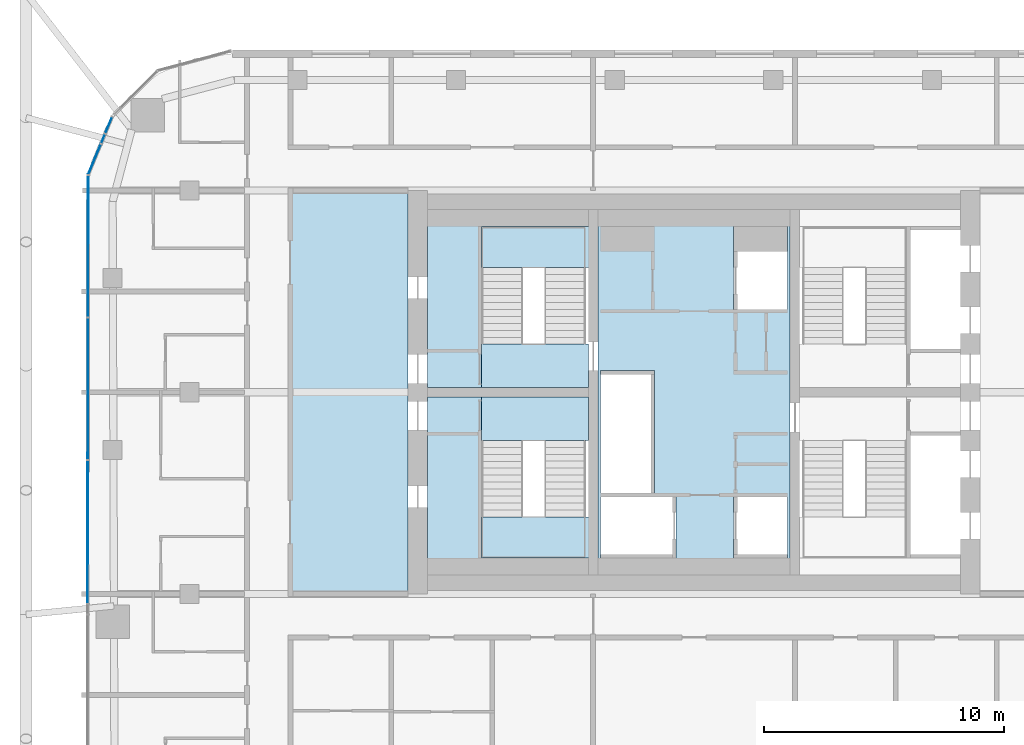
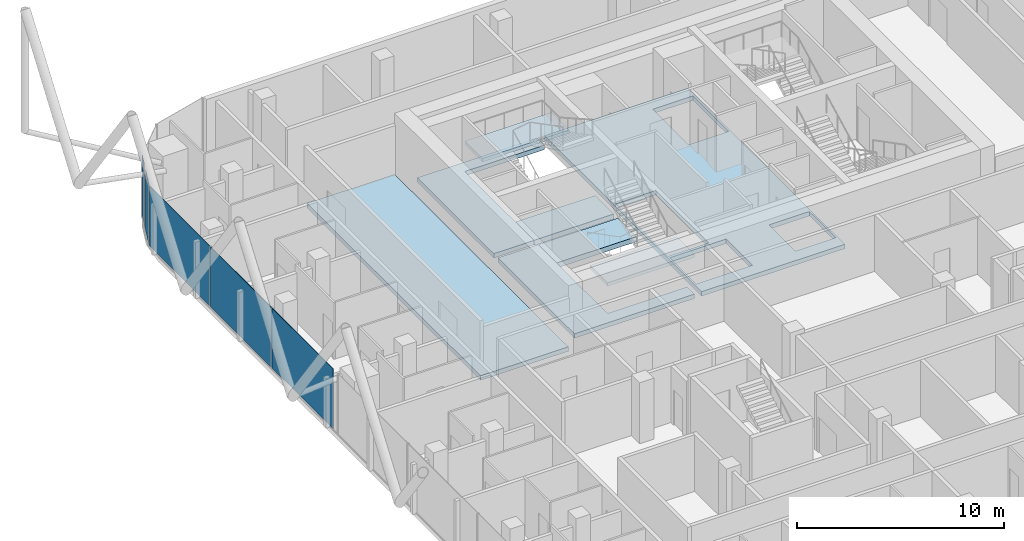
# One storey, part 19 of 31: 8 slabs, 6 plates, 6 elements without a shape of their own.
"""IFC4 building model written with IfcOpenShell, lengths in metres."""

from ifc_helpers import new_model, si_unit, direction, frame, origin, origin_2d, place, context, subcontext, project, spatial, polyline, rectangle, outline, extrude, material, layer, layer_set, type_object, element, aggregate, save


model = new_model("IFC4")

# Units and contexts
model_context = context("Model", 3, precision=1e-05, world=origin(), true_north=direction((0.0, 1.0)))
body_context = subcontext(model_context, "Body", "Model", "MODEL_VIEW")
ifc_project = project(units=[si_unit("LENGTHUNIT", "METRE"), si_unit("AREAUNIT", "SQUARE_METRE"), si_unit("VOLUMEUNIT", "CUBIC_METRE"), si_unit("PLANEANGLEUNIT", "RADIAN"), si_unit("MASSUNIT", "GRAM", prefix="KILO")], contexts=[model_context])

# Site, building, storey
site_placement = place(None, origin())
site = spatial("IfcSite", under=ifc_project, at=site_placement, CompositionType="ELEMENT")
building_placement = place(site_placement, origin())
building = spatial("IfcBuilding", under=site, at=building_placement, Name="Marenta Gate Hotel Tower", CompositionType="ELEMENT")
storey_placement = place(building_placement, frame((0.0, 0.0, 220.10009765625)))
storey = spatial("IfcBuildingStorey", under=building, at=storey_placement, Name="L51", CompositionType="ELEMENT", Elevation=220.10009765625)

# Slabs
ifc_material_1 = material(Name="Concrete C40", Category="concrete")
ifc_layer_1 = layer(ifc_material_1, 0.260009765625)
ifc_layer_set_1 = layer_set([ifc_layer_1], Name="Concrete C40")
slab_type_1 = type_object("IfcSlabType", Name="Core floor slab 260", PredefinedType="FLOOR", material=ifc_layer_set_1)
slab_1_placement = place(storey_placement, frame((0.0, 0.0, -0.260009765625)))
element("IfcSlab", 1, at=slab_1_placement, inside=storey, type_object=slab_type_1, Name="L51-CF-4", PredefinedType="FLOOR", context=body_context, shape_type="SweptSolid", body=[
    extrude(outline(polyline([(4.0, 15.300048828125), (4.0, 10.39990234375), (4.0, 6.39990234375), (4.0, 1.5), (4.0, 0.800048828125), (-4.0, 0.800048828125), (-4.0, 1.5), (-4.0, 6.39990234375), (-4.0, 10.39990234375), (-4.0, 15.300048828125), (-4.0, 16.0), (4.0, 16.0), (4.0, 15.300048828125)]), holes=[polyline([(1.64990234375, 14.25), (1.64990234375, 11.85009765625), (1.800048828125, 11.85009765625), (3.89990234375, 11.85009765625), (3.89990234375, 14.25), (3.89990234375, 15.300048828125), (1.64990234375, 15.300048828125), (1.64990234375, 14.25)]), polyline([(3.89990234375, 1.64990234375), (3.89990234375, 4.050048828125), (1.800048828125, 4.050048828125), (1.64990234375, 4.050048828125), (1.64990234375, 1.64990234375), (1.64990234375, 1.5), (3.89990234375, 1.5), (3.89990234375, 1.64990234375)]), polyline([(-3.89990234375, 1.64990234375), (-3.89990234375, 1.5), (-0.89990234375, 1.5), (-0.75, 1.5), (-0.75, 4.050048828125), (-0.89990234375, 4.050048828125), (-3.89990234375, 4.050048828125), (-3.89990234375, 1.64990234375)]), polyline([(-1.800048828125, 4.199951171875), (-1.64990234375, 4.199951171875), (-1.64990234375, 9.14990234375), (-1.64990234375, 9.300048828125), (-3.89990234375, 9.300048828125), (-3.89990234375, 9.14990234375), (-3.89990234375, 6.75), (-3.89990234375, 6.60009765625), (-3.89990234375, 4.199951171875), (-1.800048828125, 4.199951171875)])]), origin(), (0.0, 0.0, 1.0), 0.260009765625),
])
slab_2_placement = place(storey_placement, frame((0.0, 0.0, -0.260009765625)))
element("IfcSlab", 2, at=slab_2_placement, inside=storey, type_object=slab_type_1, Name="L51-CF-5", PredefinedType="FLOOR", context=body_context, shape_type="SweptSolid", body=[
    extrude(outline(polyline([(-8.85009765625, 8.199951171875), (-8.85009765625, 8.10009765625), (-8.85009765625, 6.39990234375), (-8.85009765625, 1.5), (-4.39990234375, 1.5), (-4.39990234375, 0.800048828125), (-11.10009765625, 0.800048828125), (-11.10009765625, 8.199951171875), (-8.85009765625, 8.199951171875)])), origin(), (0.0, 0.0, 1.0), 0.260009765625),
])
slab_3_placement = place(storey_placement, frame((0.0, 0.0, -0.260009765625)))
element("IfcSlab", 3, at=slab_3_placement, inside=storey, type_object=slab_type_1, Name="L51-CF-6", PredefinedType="FLOOR", context=body_context, shape_type="SweptSolid", body=[
    extrude(outline(polyline([(-4.39990234375, 15.300048828125), (-8.85009765625, 15.300048828125), (-8.85009765625, 10.39990234375), (-8.85009765625, 8.699951171875), (-8.85009765625, 8.60009765625), (-11.10009765625, 8.60009765625), (-11.10009765625, 16.0), (-4.39990234375, 16.0), (-4.39990234375, 15.300048828125)])), origin(), (0.0, 0.0, 1.0), 0.260009765625),
])
slab_4_placement = place(storey_placement, frame((0.0, 0.0, -0.260009765625)))
element("IfcSlab", 4, at=slab_4_placement, inside=storey, type_object=slab_type_1, Name="L51-CF-7", PredefinedType="FLOOR", context=body_context, shape_type="SweptSolid", body=[
    extrude(outline(polyline([(-11.89990234375, 16.800048828125), (-11.89990234375, 0.0), (-16.800048828125, 0.0), (-16.800048828125, 16.800048828125), (-11.89990234375, 16.800048828125)])), origin(), (0.0, 0.0, 1.0), 0.260009765625),
])

# Stair, slab
ifc_material_2 = material(Name="Concrete C40", Category="concrete")
stair_type = type_object("IfcStairType", Name="Core exit stair 1700 wide", PredefinedType="HALF_TURN_STAIR", material=ifc_material_2)
stair_1_placement = place(storey_placement, origin())
stair_1 = element("IfcStair", 5, at=stair_1_placement, inside=storey, type_object=stair_type, Name="Exit stair 1", PredefinedType="HALF_TURN_STAIR")
ifc_material_3 = material(Name="Concrete C40", Category="concrete")
ifc_layer_2 = layer(ifc_material_3, 0.199951171875)
ifc_layer_set_2 = layer_set([ifc_layer_2], Name="Concrete C40")
slab_type_2 = type_object("IfcSlabType", Name="Core stair landing 200", PredefinedType="LANDING", material=ifc_layer_set_2)
slab_5_placement = place(storey_placement, frame((0.0, 0.0, 1.599853515625)))
slab_5 = element("IfcSlab", 6, at=slab_5_placement, type_object=slab_type_2, Name="SL-200 ST1 landing 1", PredefinedType="LANDING", context=body_context, shape_type="SweptSolid", body=[
    extrude(outline(polyline([(-8.85009765625, 1.5), (-4.0, 1.5), (-4.0, 3.2099609375), (-8.85009765625, 3.2099609375), (-8.85009765625, 1.5)])), origin(), (0.0, 0.0, 1.0), 0.199951171875),
])
aggregate(stair_1, [slab_5])

stair_2_placement = place(storey_placement, origin())
stair_2 = element("IfcStair", 7, at=stair_2_placement, inside=storey, type_object=stair_type, Name="Exit stair 2", PredefinedType="HALF_TURN_STAIR")
slab_6_placement = place(storey_placement, frame((0.0, 0.0, 1.599853515625)))
slab_6 = element("IfcSlab", 8, at=slab_6_placement, type_object=slab_type_2, Name="SL-200 ST2 landing 1", PredefinedType="LANDING", context=body_context, shape_type="SweptSolid", body=[
    extrude(outline(polyline([(-8.85009765625, 13.590087890625), (-4.0, 13.590087890625), (-4.0, 15.300048828125), (-8.85009765625, 15.300048828125), (-8.85009765625, 13.590087890625)])), origin(), (0.0, 0.0, 1.0), 0.199951171875),
])
aggregate(stair_2, [slab_6])

# Curtain wall, plate
ifc_material_4 = material(Name="Tinted insulated glass in bronze anodised frame", Category="glass")
ifc_layer_3 = layer(ifc_material_4, 0.1201171875)
ifc_layer_set_3 = layer_set([ifc_layer_3], Name="Tinted insulated glass in bronze anodised frame")
curtain_wall_type = type_object("IfcCurtainWallType", Name="Tower unitised curtain wall CW1", PredefinedType="NOTDEFINED", material=ifc_layer_set_3)
curtain_wall_1_placement = place(storey_placement, origin())
curtain_wall_1 = element("IfcCurtainWall", 9, at=curtain_wall_1_placement, inside=storey, type_object=curtain_wall_type, Name="CW1 run G03", PredefinedType="NOTDEFINED")
ifc_material_5 = material(Name="Tinted insulated glass", Category="glass")
ifc_layer_4 = layer(ifc_material_5, 0.028076171875)
ifc_layer_set_4 = layer_set([ifc_layer_4], Name="Tinted insulated glass")
plate_type = type_object("IfcPlateType", Name="Glass panel CW1 28 mm tinted insulated unit", PredefinedType="CURTAIN_PANEL", material=ifc_layer_set_4)
plate_1_placement = place(storey_placement, frame((-24.3623046875, 19.5185546875, 0.059814453125), z_axis=(0.0, 0.0, 1.0), x_axis=(-0.382711777204, -0.923867791185, 0.0)))
plate_1 = element("IfcPlate", 10, at=plate_1_placement, type_object=plate_type, Name="CW1 panel 1.1", PredefinedType="CURTAIN_PANEL", context=body_context, shape_type="SweptSolid", body=[
    extrude(rectangle(XDim=0.708740234375, YDim=0.028076171875, at=origin_2d()), origin(), (0.0, 0.0, 1.0), 3.5400390625),
])
aggregate(curtain_wall_1, [plate_1])

curtain_wall_2_placement = place(storey_placement, origin())
curtain_wall_2 = element("IfcCurtainWall", 11, at=curtain_wall_2_placement, inside=storey, type_object=curtain_wall_type, Name="CW1 run G04", PredefinedType="NOTDEFINED")
plate_2_placement = place(storey_placement, frame((-24.5966796875, 18.9521484375, 0.06005859375), z_axis=(0.0, 0.0, 1.0), x_axis=(-0.382641626167, -0.923896848097, 0.0)))
plate_2 = element("IfcPlate", 12, at=plate_2_placement, type_object=plate_type, Name="CW1 panel 1.1", PredefinedType="CURTAIN_PANEL", context=body_context, shape_type="SweptSolid", body=[
    extrude(rectangle(XDim=0.397216796875, YDim=0.028076171875, at=origin_2d()), origin(), (0.0, 0.0, 1.0), 2.9404296875),
])
aggregate(curtain_wall_2, [plate_2])

curtain_wall_3_placement = place(storey_placement, origin())
curtain_wall_3 = element("IfcCurtainWall", 13, at=curtain_wall_3_placement, inside=storey, type_object=curtain_wall_type, Name="CW1 run G05", PredefinedType="NOTDEFINED")
plate_3_placement = place(storey_placement, frame((-24.9541015625, 18.08984375, 0.059814453125), z_axis=(0.0, 0.0, 1.0), x_axis=(-0.382650385627, -0.923893220226, 0.0)))
plate_3 = element("IfcPlate", 14, at=plate_3_placement, type_object=plate_type, Name="CW1 panel 1.1", PredefinedType="CURTAIN_PANEL", context=body_context, shape_type="SweptSolid", body=[
    extrude(rectangle(XDim=1.349853515625, YDim=0.028076171875, at=origin_2d()), origin(), (0.0, 0.0, 1.0), 3.5400390625),
])
aggregate(curtain_wall_3, [plate_3])

# Curtain wall, plates
curtain_wall_4_placement = place(storey_placement, origin())
curtain_wall_4 = element("IfcCurtainWall", 15, at=curtain_wall_4_placement, inside=storey, type_object=curtain_wall_type, Name="CW1 run G06", PredefinedType="NOTDEFINED")
plate_4_placement = place(storey_placement, frame((-25.217041015625, 14.478515625, 0.059814453125), z_axis=(0.0, 0.0, 1.0), x_axis=(-0.001569803969, -0.999998767857, 0.0)))
plate_4 = element("IfcPlate", 16, at=plate_4_placement, type_object=plate_type, Name="CW1 panel 1.1", PredefinedType="CURTAIN_PANEL", context=body_context, shape_type="SweptSolid", body=[
    extrude(rectangle(XDim=5.85546875, YDim=0.028076171875, at=origin_2d()), origin(), (0.0, 0.0, 1.0), 3.5400390625),
])
plate_5_placement = place(storey_placement, frame((-25.226318359375, 8.5478515625, 0.059814453125), z_axis=(0.0, 0.0, 1.0), x_axis=(-0.001569803969, -0.999998767857, 0.0)))
plate_5 = element("IfcPlate", 17, at=plate_5_placement, type_object=plate_type, Name="CW1 panel 2.1", PredefinedType="CURTAIN_PANEL", context=body_context, shape_type="SweptSolid", body=[
    extrude(rectangle(XDim=5.885498046875, YDim=0.028076171875, at=origin_2d()), origin(), (0.0, 0.0, 1.0), 3.5400390625),
])
plate_6_placement = place(storey_placement, frame((-25.235595703125, 2.58740234375, 0.059814453125), z_axis=(0.0, 0.0, 1.0), x_axis=(-0.001569803969, -0.999998767857, 0.0)))
plate_6 = element("IfcPlate", 18, at=plate_6_placement, type_object=plate_type, Name="CW1 panel 3.1", PredefinedType="CURTAIN_PANEL", context=body_context, shape_type="SweptSolid", body=[
    extrude(rectangle(XDim=5.91552734375, YDim=0.028076171875, at=origin_2d()), origin(), (0.0, 0.0, 1.0), 3.5400390625),
])
aggregate(curtain_wall_4, [plate_4, plate_5, plate_6])

# Slabs
ifc_material_6 = material(Name="Concrete C40", Category="concrete")
ifc_layer_5 = layer(ifc_material_6, 0.300048828125)
ifc_layer_set_5 = layer_set([ifc_layer_5], Name="Concrete C40")
slab_type_3 = type_object("IfcSlabType", Name="Stair floor landing slab 300", PredefinedType="FLOOR", material=ifc_layer_set_5)
slab_7_placement = place(storey_placement, frame((0.0, 0.0, -0.300048828125)))
element("IfcSlab", 19, at=slab_7_placement, inside=storey, type_object=slab_type_3, Name="L51-CL-ST1-1", PredefinedType="FLOOR", context=body_context, shape_type="SweptSolid", body=[
    extrude(outline(polyline([(-4.39990234375, 6.39990234375), (-8.85009765625, 6.39990234375), (-8.85009765625, 8.10009765625), (-8.85009765625, 8.199951171875), (-4.39990234375, 8.199951171875), (-4.39990234375, 6.39990234375)])), origin(), (0.0, 0.0, 1.0), 0.300048828125),
])
slab_8_placement = place(storey_placement, frame((0.0, 0.0, -0.300048828125)))
element("IfcSlab", 20, at=slab_8_placement, inside=storey, type_object=slab_type_3, Name="L51-CL-ST2-1", PredefinedType="FLOOR", context=body_context, shape_type="SweptSolid", body=[
    extrude(outline(polyline([(-4.39990234375, 8.60009765625), (-8.85009765625, 8.60009765625), (-8.85009765625, 8.699951171875), (-8.85009765625, 10.39990234375), (-4.39990234375, 10.39990234375), (-4.39990234375, 8.60009765625)])), origin(), (0.0, 0.0, 1.0), 0.300048828125),
])

save(model, "model.ifc")
